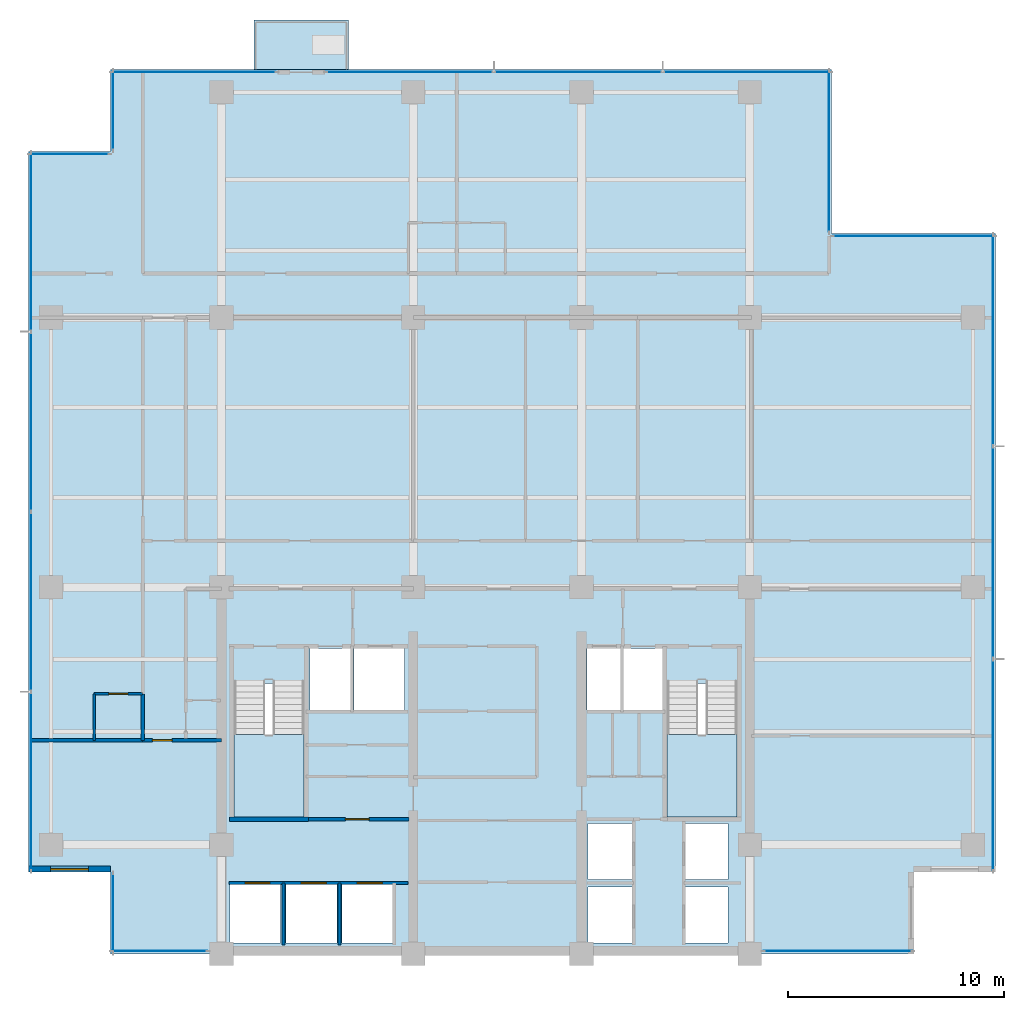
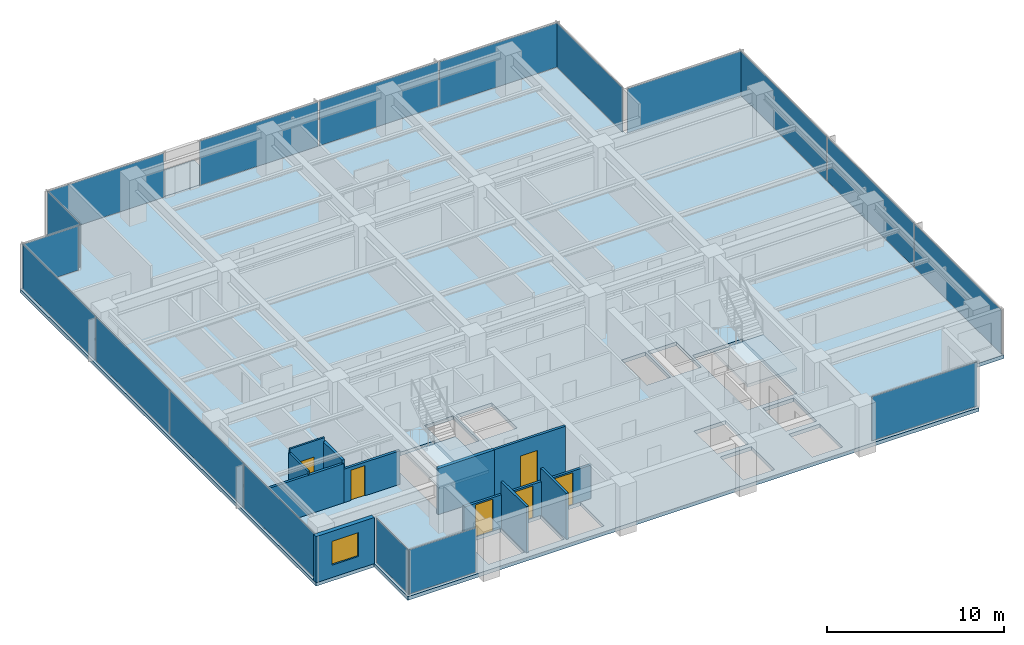
# One storey, part 6 of 14: 18 plates, 11 walls, 6 doors, 4 slabs, 1 window, 7 openings, 13 elements without a shape of their own.
"""IFC4 building model written with IfcOpenShell, lengths in metres."""

from ifc_helpers import new_model, si_unit, direction, frame, frame_2d, origin, origin_2d, place, context, subcontext, project, spatial, polyline, rectangle, outline, extrude, material, layer, layer_set, type_object, element, fill, aggregate, save


model = new_model("IFC4")

# Units and contexts
model_context = context("Model", 3, precision=1e-05, world=origin(), true_north=direction((0.0, 1.0)))
body_context = subcontext(model_context, "Body", "Model", "MODEL_VIEW")
ifc_project = project(units=[si_unit("LENGTHUNIT", "METRE"), si_unit("AREAUNIT", "SQUARE_METRE"), si_unit("VOLUMEUNIT", "CUBIC_METRE"), si_unit("PLANEANGLEUNIT", "RADIAN"), si_unit("MASSUNIT", "GRAM", prefix="KILO")], contexts=[model_context])

# Site, building, storey
site_placement = place(None, origin())
site = spatial("IfcSite", under=ifc_project, at=site_placement, CompositionType="ELEMENT")
building_placement = place(site_placement, origin())
building = spatial("IfcBuilding", under=site, at=building_placement, Name="Qalmaran Belvedere Hotel", CompositionType="ELEMENT")
storey_placement = place(building_placement, frame((0.0, 0.0, 180.60009765625)))
storey = spatial("IfcBuildingStorey", under=building, at=storey_placement, Name="L46", CompositionType="ELEMENT", Elevation=180.60009765625)

# Curtain wall, plate
ifc_material_1 = material(Name="Anodised Bronze Aluminium", Category="aluminium")
ifc_layer_1 = layer(ifc_material_1, 0.195068359375, Name="Anodised Bronze Aluminium")
ifc_layer_set_1 = layer_set([ifc_layer_1], Name="Anodised Bronze Aluminium")
curtain_wall_type = type_object("IfcCurtainWallType", Name="CW4-TOWER-HIGHMID", PredefinedType="NOTDEFINED", material=ifc_layer_set_1)
curtain_wall_1_placement = place(storey_placement, origin())
curtain_wall_1 = element("IfcCurtainWall", 1, at=curtain_wall_1_placement, inside=storey, type_object=curtain_wall_type, Name="L46 Curtain Wall CW4", PredefinedType="NOTDEFINED")
ifc_material_2 = material(Name="Solar-Control Double Glazing", Category="glass")
ifc_layer_2 = layer(ifc_material_2, 0.028076171875, Name="Solar-Control Double Glazing")
ifc_layer_set_2 = layer_set([ifc_layer_2], Name="Solar-Control Double Glazing")
plate_type = type_object("IfcPlateType", Name="CWP-VISION-28", PredefinedType="CURTAIN_PANEL", material=ifc_layer_set_2)
plate_1_placement = place(storey_placement, frame((17.429931640625, 3.6201171875, 0.06494140625), z_axis=(0.0, 0.0, 1.0), x_axis=(1.0, 0.0, 0.0)))
plate_1 = element("IfcPlate", 2, at=plate_1_placement, type_object=plate_type, Name="CW4 panel 1.1", PredefinedType="CURTAIN_PANEL", context=body_context, shape_type="SweptSolid", body=[
    extrude(rectangle(XDim=4.419921875, YDim=0.028076171875, at=origin_2d()), origin(), (0.0, 0.0, 1.0), 3.050048828125),
])
aggregate(curtain_wall_1, [plate_1])

curtain_wall_2_placement = place(storey_placement, origin())
curtain_wall_2 = element("IfcCurtainWall", 3, at=curtain_wall_2_placement, inside=storey, type_object=curtain_wall_type, Name="L46 Curtain Wall CW4", PredefinedType="NOTDEFINED")
plate_2_placement = place(storey_placement, frame((48.89501953125, 3.6201171875, 0.06494140625), z_axis=(0.0, 0.0, 1.0), x_axis=(1.0, 0.0, 0.0)))
plate_2 = element("IfcPlate", 4, at=plate_2_placement, type_object=plate_type, Name="CW4 panel 1.1", PredefinedType="CURTAIN_PANEL", context=body_context, shape_type="SweptSolid", body=[
    extrude(rectangle(XDim=6.8701171875, YDim=0.028076171875, at=origin_2d()), origin(), (0.0, 0.0, 1.0), 3.050048828125),
])
aggregate(curtain_wall_2, [plate_2])

# Curtain wall, plates
curtain_wall_3_placement = place(storey_placement, origin())
curtain_wall_3 = element("IfcCurtainWall", 5, at=curtain_wall_3_placement, inside=storey, type_object=curtain_wall_type, Name="L46 Curtain Wall CW4", PredefinedType="NOTDEFINED")
plate_3_placement = place(storey_placement, frame((56.080078125, 12.250732421875, 0.06494140625), z_axis=(0.0, 0.0, 1.0), x_axis=(0.0, 1.0, 0.0)))
plate_3 = element("IfcPlate", 6, at=plate_3_placement, type_object=plate_type, Name="CW4 panel 1.1", PredefinedType="CURTAIN_PANEL", context=body_context, shape_type="SweptSolid", body=[
    extrude(rectangle(XDim=9.76171875, YDim=0.028076171875, at=origin_2d()), origin(), (0.0, 0.0, 1.0), 3.050048828125),
])
plate_4_placement = place(storey_placement, frame((56.080078125, 22.10009765625, 0.06494140625), z_axis=(0.0, 0.0, 1.0), x_axis=(0.0, 1.0, 0.0)))
plate_4 = element("IfcPlate", 7, at=plate_4_placement, type_object=plate_type, Name="CW4 panel 2.1", PredefinedType="CURTAIN_PANEL", context=body_context, shape_type="SweptSolid", body=[
    extrude(rectangle(XDim=9.796630859375, YDim=0.028076171875, at=origin_2d()), origin(), (0.0, 0.0, 1.0), 3.050048828125),
])
plate_5_placement = place(storey_placement, frame((56.080078125, 31.94921875, 0.06494140625), z_axis=(0.0, 0.0, 1.0), x_axis=(0.0, 1.0, 0.0)))
plate_5 = element("IfcPlate", 8, at=plate_5_placement, type_object=plate_type, Name="CW4 panel 3.1", PredefinedType="CURTAIN_PANEL", context=body_context, shape_type="SweptSolid", body=[
    extrude(rectangle(XDim=9.76171875, YDim=0.028076171875, at=origin_2d()), origin(), (0.0, 0.0, 1.0), 3.050048828125),
])
aggregate(curtain_wall_3, [plate_3, plate_4, plate_5])

# Curtain wall, plate
curtain_wall_4_placement = place(storey_placement, origin())
curtain_wall_4 = element("IfcCurtainWall", 9, at=curtain_wall_4_placement, inside=storey, type_object=curtain_wall_type, Name="L46 Curtain Wall CW4", PredefinedType="NOTDEFINED")
plate_6_placement = place(storey_placement, frame((52.39990234375, 36.780029296875, 0.06494140625), z_axis=(0.0, 0.0, 1.0), x_axis=(-1.0, 0.0, 0.0)))
plate_6 = element("IfcPlate", 10, at=plate_6_placement, type_object=plate_type, Name="CW4 panel 1.1", PredefinedType="CURTAIN_PANEL", context=body_context, shape_type="SweptSolid", body=[
    extrude(rectangle(XDim=7.4599609375, YDim=0.028076171875, at=origin_2d()), origin(), (0.0, 0.0, 1.0), 3.050048828125),
])
aggregate(curtain_wall_4, [plate_6])

curtain_wall_5_placement = place(storey_placement, origin())
curtain_wall_5 = element("IfcCurtainWall", 11, at=curtain_wall_5_placement, inside=storey, type_object=curtain_wall_type, Name="L46 Curtain Wall CW4", PredefinedType="NOTDEFINED")
plate_7_placement = place(storey_placement, frame((48.47998046875, 40.699951171875, 0.06494140625), z_axis=(0.0, 0.0, 1.0), x_axis=(0.0, 1.0, 0.0)))
plate_7 = element("IfcPlate", 12, at=plate_7_placement, type_object=plate_type, Name="CW4 panel 1.1", PredefinedType="CURTAIN_PANEL", context=body_context, shape_type="SweptSolid", body=[
    extrude(rectangle(XDim=7.4599609375, YDim=0.028076171875, at=origin_2d()), origin(), (0.0, 0.0, 1.0), 3.050048828125),
])
aggregate(curtain_wall_5, [plate_7])

curtain_wall_6_placement = place(storey_placement, origin())
curtain_wall_6 = element("IfcCurtainWall", 13, at=curtain_wall_6_placement, inside=storey, type_object=curtain_wall_type, Name="L46 Curtain Wall CW4", PredefinedType="NOTDEFINED")
plate_8_placement = place(storey_placement, frame((19.02490234375, 44.3798828125, 0.06494140625), z_axis=(0.0, 0.0, 1.0), x_axis=(-1.0, 0.0, 0.0)))
plate_8 = element("IfcPlate", 14, at=plate_8_placement, type_object=plate_type, Name="CW4 panel 1.1", PredefinedType="CURTAIN_PANEL", context=body_context, shape_type="SweptSolid", body=[
    extrude(rectangle(XDim=7.610107421875, YDim=0.028076171875, at=origin_2d()), origin(), (0.0, 0.0, 1.0), 3.050048828125),
])
aggregate(curtain_wall_6, [plate_8])

# Curtain wall, plates
curtain_wall_7_placement = place(storey_placement, origin())
curtain_wall_7 = element("IfcCurtainWall", 15, at=curtain_wall_7_placement, inside=storey, type_object=curtain_wall_type, Name="L46 Curtain Wall CW4", PredefinedType="NOTDEFINED")
plate_9_placement = place(storey_placement, frame((44.665771484375, 44.3798828125, 0.06494140625), z_axis=(0.0, 0.0, 1.0), x_axis=(-1.0, 0.0, 0.0)))
plate_9 = element("IfcPlate", 16, at=plate_9_placement, type_object=plate_type, Name="CW4 panel 1.1", PredefinedType="CURTAIN_PANEL", context=body_context, shape_type="SweptSolid", body=[
    extrude(rectangle(XDim=7.728271484375, YDim=0.028076171875, at=origin_2d()), origin(), (0.0, 0.0, 1.0), 3.050048828125),
])
plate_10_placement = place(storey_placement, frame((36.85009765625, 44.3798828125, 0.06494140625), z_axis=(0.0, 0.0, 1.0), x_axis=(-1.0, 0.0, 0.0)))
plate_10 = element("IfcPlate", 17, at=plate_10_placement, type_object=plate_type, Name="CW4 panel 2.1", PredefinedType="CURTAIN_PANEL", context=body_context, shape_type="SweptSolid", body=[
    extrude(rectangle(XDim=7.763427734375, YDim=0.028076171875, at=origin_2d()), origin(), (0.0, 0.0, 1.0), 3.050048828125),
])
plate_11_placement = place(storey_placement, frame((29.0341796875, 44.3798828125, 0.06494140625), z_axis=(0.0, 0.0, 1.0), x_axis=(-1.0, 0.0, 0.0)))
plate_11 = element("IfcPlate", 18, at=plate_11_placement, type_object=plate_type, Name="CW4 panel 3.1", PredefinedType="CURTAIN_PANEL", context=body_context, shape_type="SweptSolid", body=[
    extrude(rectangle(XDim=7.728271484375, YDim=0.028076171875, at=origin_2d()), origin(), (0.0, 0.0, 1.0), 3.050048828125),
])
aggregate(curtain_wall_7, [plate_9, plate_10, plate_11])

# Curtain wall, plate
curtain_wall_8_placement = place(storey_placement, origin())
curtain_wall_8 = element("IfcCurtainWall", 19, at=curtain_wall_8_placement, inside=storey, type_object=curtain_wall_type, Name="L46 Curtain Wall CW4", PredefinedType="NOTDEFINED")
plate_12_placement = place(storey_placement, frame((15.27001953125, 42.60009765625, 0.06494140625), z_axis=(0.0, 0.0, 1.0), x_axis=(0.0, -1.0, 0.0)))
plate_12 = element("IfcPlate", 20, at=plate_12_placement, type_object=plate_type, Name="CW4 panel 1.1", PredefinedType="CURTAIN_PANEL", context=body_context, shape_type="SweptSolid", body=[
    extrude(rectangle(XDim=3.659912109375, YDim=0.028076171875, at=origin_2d()), origin(), (0.0, 0.0, 1.0), 3.050048828125),
])
aggregate(curtain_wall_8, [plate_12])

curtain_wall_9_placement = place(storey_placement, origin())
curtain_wall_9 = element("IfcCurtainWall", 21, at=curtain_wall_9_placement, inside=storey, type_object=curtain_wall_type, Name="L46 Curtain Wall CW4", PredefinedType="NOTDEFINED")
plate_13_placement = place(storey_placement, frame((13.25, 40.580078125, 0.06494140625), z_axis=(0.0, 0.0, 1.0), x_axis=(-1.0, 0.0, 0.0)))
plate_13 = element("IfcPlate", 22, at=plate_13_placement, type_object=plate_type, Name="CW4 panel 1.1", PredefinedType="CURTAIN_PANEL", context=body_context, shape_type="SweptSolid", body=[
    extrude(rectangle(XDim=3.659912109375, YDim=0.028076171875, at=origin_2d()), origin(), (0.0, 0.0, 1.0), 3.050048828125),
])
aggregate(curtain_wall_9, [plate_13])

# Curtain wall, plates
curtain_wall_10_placement = place(storey_placement, origin())
curtain_wall_10 = element("IfcCurtainWall", 23, at=curtain_wall_10_placement, inside=storey, type_object=curtain_wall_type, Name="L46 Curtain Wall CW4", PredefinedType="NOTDEFINED")
plate_14_placement = place(storey_placement, frame((11.469970703125, 36.507568359375, 0.06494140625), z_axis=(0.0, 0.0, 1.0), x_axis=(0.0, -1.0, 0.0)))
plate_14 = element("IfcPlate", 24, at=plate_14_placement, type_object=plate_type, Name="CW4 panel 1.1", PredefinedType="CURTAIN_PANEL", context=body_context, shape_type="SweptSolid", body=[
    extrude(rectangle(XDim=8.2451171875, YDim=0.028076171875, at=origin_2d()), origin(), (0.0, 0.0, 1.0), 3.050048828125),
])
plate_15_placement = place(storey_placement, frame((11.469970703125, 28.175048828125, 0.06494140625), z_axis=(0.0, 0.0, 1.0), x_axis=(0.0, -1.0, 0.0)))
plate_15 = element("IfcPlate", 25, at=plate_15_placement, type_object=plate_type, Name="CW4 panel 2.1", PredefinedType="CURTAIN_PANEL", context=body_context, shape_type="SweptSolid", body=[
    extrude(rectangle(XDim=8.280029296875, YDim=0.028076171875, at=origin_2d()), origin(), (0.0, 0.0, 1.0), 3.050048828125),
])
plate_16_placement = place(storey_placement, frame((11.469970703125, 19.824951171875, 0.06494140625), z_axis=(0.0, 0.0, 1.0), x_axis=(0.0, -1.0, 0.0)))
plate_16 = element("IfcPlate", 26, at=plate_16_placement, type_object=plate_type, Name="CW4 panel 3.1", PredefinedType="CURTAIN_PANEL", context=body_context, shape_type="SweptSolid", body=[
    extrude(rectangle(XDim=8.280029296875, YDim=0.028076171875, at=origin_2d()), origin(), (0.0, 0.0, 1.0), 3.050048828125),
])
plate_17_placement = place(storey_placement, frame((11.469970703125, 11.492431640625, 0.06494140625), z_axis=(0.0, 0.0, 1.0), x_axis=(0.0, -1.0, 0.0)))
plate_17 = element("IfcPlate", 27, at=plate_17_placement, type_object=plate_type, Name="CW4 panel 4.1", PredefinedType="CURTAIN_PANEL", context=body_context, shape_type="SweptSolid", body=[
    extrude(rectangle(XDim=8.2451171875, YDim=0.028076171875, at=origin_2d()), origin(), (0.0, 0.0, 1.0), 3.050048828125),
])
aggregate(curtain_wall_10, [plate_14, plate_15, plate_16, plate_17])

# Curtain wall, plate
curtain_wall_11_placement = place(storey_placement, origin())
curtain_wall_11 = element("IfcCurtainWall", 28, at=curtain_wall_11_placement, inside=storey, type_object=curtain_wall_type, Name="L46 Curtain Wall CW4", PredefinedType="NOTDEFINED")
plate_18_placement = place(storey_placement, frame((15.27001953125, 5.39990234375, 0.06494140625), z_axis=(0.0, 0.0, 1.0), x_axis=(0.0, -1.0, 0.0)))
plate_18 = element("IfcPlate", 29, at=plate_18_placement, type_object=plate_type, Name="CW4 panel 1.1", PredefinedType="CURTAIN_PANEL", context=body_context, shape_type="SweptSolid", body=[
    extrude(rectangle(XDim=3.659912109375, YDim=0.028076171875, at=origin_2d()), origin(), (0.0, 0.0, 1.0), 3.050048828125),
])
aggregate(curtain_wall_11, [plate_18])

# Slab
ifc_material_3 = material(Name="Concrete C40/50", Category="concrete")
ifc_layer_3 = layer(ifc_material_3, 0.219970703125, Name="Concrete C40/50")
ifc_layer_set_3 = layer_set([ifc_layer_3], Name="Concrete C40/50")
slab_type_1 = type_object("IfcSlabType", Name="SLB-BAL-220", PredefinedType="USERDEFINED", material=ifc_layer_set_3)
slab_1_placement = place(storey_placement, frame((0.0, 0.0, -0.22021484375)))
element("IfcSlab", 30, at=slab_1_placement, inside=storey, type_object=slab_type_1, Name="L46 Planted Tree Balcony Slab 1", ObjectType="BALCONY", PredefinedType="USERDEFINED", context=body_context, shape_type="SweptSolid", body=[
    extrude(outline(polyline([(21.800048828125, 44.5), (26.199951171875, 44.5), (26.199951171875, 46.800048828125), (21.800048828125, 46.800048828125), (21.800048828125, 44.5)])), origin(), (0.0, 0.0, 1.0), 0.22021484375),
])

# Stair, slab
stair_type_1 = type_object("IfcStairType", Name="STR-ST-1-1450-R1750", PredefinedType="HALF_TURN_STAIR", material=ifc_material_3)
stair_1_placement = place(storey_placement, origin())
stair_1 = element("IfcStair", 31, at=stair_1_placement, inside=storey, type_object=stair_type_1, Name="L46 West Core Exit Stair ST-1", PredefinedType="HALF_TURN_STAIR")
ifc_layer_4 = layer(ifc_material_3, 0.199951171875, Name="Concrete C40/50")
ifc_layer_set_4 = layer_set([ifc_layer_4], Name="Concrete C40/50")
slab_type_2 = type_object("IfcSlabType", Name="SLB-STAIR-LANDING-200", PredefinedType="LANDING", material=ifc_layer_set_4)
slab_2_placement = place(storey_placement, frame((0.0, 0.0, 1.5498046875)))
slab_2 = element("IfcSlab", 32, at=slab_2_placement, type_object=slab_type_2, Name="ST-1 landing 1", PredefinedType="LANDING", context=body_context, shape_type="SweptSolid", body=[
    extrude(outline(polyline([(20.8798828125, 13.669921875), (20.8798828125, 9.85009765625), (24.1201171875, 9.85009765625), (24.1201171875, 13.669921875), (20.8798828125, 13.669921875)])), origin(), (0.0, 0.0, 1.0), 0.2001953125),
])
aggregate(stair_1, [slab_2])

stair_type_2 = type_object("IfcStairType", Name="STR-ST-2-1450-R1750", PredefinedType="HALF_TURN_STAIR", material=ifc_material_3)
stair_2_placement = place(storey_placement, origin())
stair_2 = element("IfcStair", 33, at=stair_2_placement, inside=storey, type_object=stair_type_2, Name="L46 East Core Exit Stair ST-2", PredefinedType="HALF_TURN_STAIR")
slab_3_placement = place(storey_placement, frame((0.0, 0.0, 1.5498046875)))
slab_3 = element("IfcSlab", 34, at=slab_3_placement, type_object=slab_type_2, Name="ST-2 landing 1", PredefinedType="LANDING", context=body_context, shape_type="SweptSolid", body=[
    extrude(outline(polyline([(40.9599609375, 13.669921875), (40.9599609375, 9.85009765625), (44.199951171875, 9.85009765625), (44.199951171875, 13.669921875), (40.9599609375, 13.669921875)])), origin(), (0.0, 0.0, 1.0), 0.2001953125),
])
aggregate(stair_2, [slab_3])

# Slab
ifc_layer_5 = layer(ifc_material_3, 0.25, Name="Concrete C40/50")
ifc_layer_set_5 = layer_set([ifc_layer_5], Name="Concrete C40/50")
slab_type_3 = type_object("IfcSlabType", Name="SLB-Z3-250", PredefinedType="FLOOR", material=ifc_layer_set_5)
slab_4_placement = place(storey_placement, frame((0.0, 0.0, -0.25)))
element("IfcSlab", 35, at=slab_4_placement, inside=storey, type_object=slab_type_3, Name="L46 Structural Floor Slab", PredefinedType="FLOOR", context=body_context, shape_type="SweptSolid", body=[
    extrude(outline(polyline([(15.14990234375, 3.5), (52.39990234375, 3.5), (52.39990234375, 7.300048828125), (56.199951171875, 7.300048828125), (56.199951171875, 36.89990234375), (48.60009765625, 36.89990234375), (48.60009765625, 44.5), (15.14990234375, 44.5), (15.14990234375, 40.699951171875), (11.35009765625, 40.699951171875), (11.35009765625, 7.300048828125), (15.14990234375, 7.300048828125), (15.14990234375, 3.5)]), holes=[polyline([(20.8798828125, 9.85009765625), (24.1201171875, 9.85009765625), (24.1201171875, 16.0400390625), (20.8798828125, 16.0400390625), (20.8798828125, 9.85009765625)]), polyline([(40.9599609375, 9.85009765625), (44.199951171875, 9.85009765625), (44.199951171875, 16.0400390625), (40.9599609375, 16.0400390625), (40.9599609375, 9.85009765625)]), polyline([(37.300048828125, 4.0), (39.35009765625, 4.0), (39.35009765625, 6.60009765625), (37.300048828125, 6.60009765625), (37.300048828125, 4.0)]), polyline([(37.300048828125, 6.949951171875), (39.35009765625, 6.949951171875), (39.35009765625, 9.550048828125), (37.300048828125, 9.550048828125), (37.300048828125, 6.949951171875)]), polyline([(41.800048828125, 4.0), (43.800048828125, 4.0), (43.800048828125, 6.60009765625), (41.800048828125, 6.60009765625), (41.800048828125, 4.0)]), polyline([(41.800048828125, 6.949951171875), (43.800048828125, 6.949951171875), (43.800048828125, 9.550048828125), (41.800048828125, 9.550048828125), (41.800048828125, 6.949951171875)]), polyline([(20.699951171875, 4.0), (23.050048828125, 4.0), (23.050048828125, 6.699951171875), (20.699951171875, 6.699951171875), (20.699951171875, 4.0)]), polyline([(23.300048828125, 4.0), (25.64990234375, 4.0), (25.64990234375, 6.699951171875), (23.300048828125, 6.699951171875), (23.300048828125, 4.0)]), polyline([(25.89990234375, 4.0), (28.25, 4.0), (28.25, 6.699951171875), (25.89990234375, 6.699951171875), (25.89990234375, 4.0)]), polyline([(24.39990234375, 14.800048828125), (26.300048828125, 14.800048828125), (26.300048828125, 17.64990234375), (24.39990234375, 17.64990234375), (24.39990234375, 14.800048828125)]), polyline([(38.949951171875, 14.800048828125), (40.820068359375, 14.800048828125), (40.820068359375, 17.64990234375), (38.949951171875, 17.64990234375), (38.949951171875, 14.800048828125)]), polyline([(26.449951171875, 14.800048828125), (28.800048828125, 14.800048828125), (28.800048828125, 17.64990234375), (26.449951171875, 17.64990234375), (26.449951171875, 14.800048828125)]), polyline([(37.25, 14.800048828125), (38.800048828125, 14.800048828125), (38.800048828125, 17.64990234375), (37.25, 17.64990234375), (37.25, 14.800048828125)])]), origin(), (0.0, 0.0, 1.0), 0.25),
])

# Wall, opening, window
ifc_material_4 = material(Name="Anodised Bronze Cladding")
ifc_layer_6 = layer(ifc_material_4, 0.280029296875, Name="Anodised Bronze Cladding")
ifc_layer_set_6 = layer_set([ifc_layer_6], Name="Anodised Bronze Cladding")
wall_type_1 = type_object("IfcWallType", Name="WL-EXT-BRNZ-280", PredefinedType="SOLIDWALL", material=ifc_layer_set_6)
wall_1_placement = place(storey_placement, frame((11.35009765625, 7.419921875, 0.0), z_axis=(0.0, 0.0, 1.0), x_axis=(1.0, 0.0, 0.0)))
wall_1 = element("IfcWall", 36, at=wall_1_placement, inside=storey, type_object=wall_type_1, Name="L46 Corner Notch Wall 10", PredefinedType="SOLIDWALL", context=body_context, shape_type="SweptSolid", body=[
    extrude(rectangle(XDim=3.7998046875, YDim=0.280029296875, at=frame_2d((1.89990234375, 0.0))), origin(), (0.0, 0.0, 1.0), 3.179931640625),
])
opening_1_placement = place(wall_1_placement, frame((1.02490234375, 0.0, 0.85009765625)))
opening_1 = element("IfcOpeningElement", 37, at=opening_1_placement, cuts=wall_1, Name="Opening W-N17", PredefinedType="OPENING", context=body_context, shape_type="SweptSolid", body=[
    extrude(rectangle(XDim=1.75, YDim=1.64990234375, at=frame_2d((0.875, 0.824951171875))), frame((0.0, 0.14990234375, 0.0), z_axis=(0.0, -1.0, 0.0), x_axis=(1.0, 0.0, 0.0)), (0.0, 0.0, 1.0), 0.300048828125),
])
window_type = type_object("IfcWindowType", Name="WN-NTC-1750X1650", PartitioningType="SINGLE_PANEL", PredefinedType="WINDOW", material=ifc_material_2)
window_placement = place(opening_1_placement, origin())
window = element("IfcWindow", 38, at=window_placement, inside=storey, type_object=window_type, Name="L46 Corner Notch Window 10", OverallHeight=1.64990234375, OverallWidth=1.75, PartitioningType="SINGLE_PANEL", PredefinedType="WINDOW", context=body_context, shape_type="SweptSolid", body=[
    extrude(rectangle(XDim=1.75, YDim=1.64990234375, at=frame_2d((0.875, 0.824951171875))), frame((0.0, 0.030029296875, 0.0), z_axis=(0.0, -1.0, 0.0), x_axis=(1.0, 0.0, 0.0)), (0.0, 0.0, 1.0), 0.06005859375),
])
fill(opening_1, window)

# Wall, opening, door
ifc_material_5 = material(Name="Moisture-Resistant Gypsum")
ifc_layer_7 = layer(ifc_material_5, 0.1201171875, Name="Moisture-Resistant Gypsum")
ifc_layer_set_7 = layer_set([ifc_layer_7], Name="Moisture-Resistant Gypsum")
wall_type_2 = type_object("IfcWallType", Name="WL-INT-120-BATH", PredefinedType="PARTITIONING", material=ifc_layer_set_7)
wall_2_placement = place(storey_placement, frame((14.39990234375, 15.550048828125, 0.0), z_axis=(0.0, 0.0, 1.0), x_axis=(1.0, 0.0, 0.0)))
wall_2 = element("IfcWall", 39, at=wall_2_placement, inside=storey, type_object=wall_type_2, Name="L46 Partition WL-L46-WBN00", PredefinedType="PARTITIONING", context=body_context, shape_type="SweptSolid", body=[
    extrude(rectangle(XDim=2.25, YDim=0.1201171875, at=frame_2d((1.125, 0.0))), origin(), (0.0, 0.0, 1.0), 3.179931640625),
])
opening_2_placement = place(wall_2_placement, frame((1.56494140625, 0.0, 0.0), z_axis=(0.0, 0.0, 1.0), x_axis=(-1.0, 0.0, 0.0)))
opening_2 = element("IfcOpeningElement", 40, at=opening_2_placement, cuts=wall_2, Name="Opening D-BATH", PredefinedType="OPENING", context=body_context, shape_type="SweptSolid", body=[
    extrude(rectangle(XDim=0.8798828125, YDim=2.080078125, at=frame_2d((0.43994140625, 1.0400390625))), frame((0.0, 0.070068359375, 0.0), z_axis=(0.0, -1.0, 0.0), x_axis=(1.0, 0.0, 0.0)), (0.0, 0.0, 1.0), 0.14013671875),
])
ifc_material_6 = material(Name="Engineered Oak Veneer")
door_type_1 = type_object("IfcDoorType", Name="DR-INT-BATH-880X2080", OperationType="NOTDEFINED", PredefinedType="DOOR", material=ifc_material_6)
door_1_placement = place(opening_2_placement, origin())
door_1 = element("IfcDoor", 41, at=door_1_placement, inside=storey, type_object=door_type_1, Name="L46 W Ensuite Door 01", OperationType="SINGLE_SWING_RIGHT", OverallHeight=2.080078125, OverallWidth=0.8798828125, PredefinedType="DOOR", context=body_context, shape_type="SweptSolid", body=[
    extrude(rectangle(XDim=0.8798828125, YDim=2.080078125, at=frame_2d((0.43994140625, 1.0400390625))), frame((0.0, 0.02490234375, 0.0), z_axis=(0.0, -1.0, 0.0), x_axis=(1.0, 0.0, 0.0)), (0.0, 0.0, 1.0), 0.050048828125),
])
fill(opening_2, door_1)

# Walls
wall_3_placement = place(storey_placement, frame((14.39990234375, 13.39990234375, 0.0), z_axis=(0.0, 0.0, 1.0), x_axis=(0.0, 1.0, 0.0)))
element("IfcWall", 42, at=wall_3_placement, inside=storey, type_object=wall_type_2, Name="L46 Partition WL-L46-WBS00", PredefinedType="PARTITIONING", context=body_context, shape_type="SweptSolid", body=[
    extrude(rectangle(XDim=2.150146484375, YDim=0.1201171875, at=frame_2d((1.0751953125, 0.0))), origin(), (0.0, 0.0, 1.0), 2.91796875),
])
ifc_material_7 = material(Name="Gypsum Stud Partition")
ifc_layer_8 = layer(ifc_material_7, 0.14990234375, Name="Gypsum Stud Partition")
ifc_layer_set_8 = layer_set([ifc_layer_8], Name="Gypsum Stud Partition")
wall_type_3 = type_object("IfcWallType", Name="WL-INT-150-EI120", PredefinedType="PARTITIONING", material=ifc_layer_set_8)
for number, where, z_axis, x_axis, name in (
    (43, (23.179931640625, 3.89990234375, 0.0), (0.0, 0.0, 1.0), (0.0, 1.0, 0.0), "L46 Partition WL-POM1-L46"),
    (44, (25.780029296875, 3.89990234375, 0.0), (0.0, 0.0, 1.0), (0.0, 1.0, 0.0), "L46 Partition WL-POM2-L46"),
):
    element("IfcWall", number, at=place(storey_placement, frame(where, z_axis=z_axis, x_axis=x_axis)), inside=storey, type_object=wall_type_3, Name=name, PredefinedType="PARTITIONING", context=body_context, shape_type="SweptSolid", body=[
        extrude(rectangle(XDim=2.880126953125, YDim=0.14990234375, at=frame_2d((1.43994140625, 0.0))), origin(), (0.0, 0.0, 1.0), 3.179931640625),
    ])

# Wall, openings, doors
ifc_layer_9 = layer(ifc_material_7, 0.159912109375, Name="Gypsum Stud Partition")
ifc_layer_set_9 = layer_set([ifc_layer_9], Name="Gypsum Stud Partition")
wall_type_4 = type_object("IfcWallType", Name="WL-INT-160-EI120", PredefinedType="PARTITIONING", material=ifc_layer_set_9)
wall_4_placement = place(storey_placement, frame((20.64990234375, 6.780029296875, 0.0), z_axis=(0.0, 0.0, 1.0), x_axis=(1.0, 0.0, 0.0)))
wall_4 = element("IfcWall", 45, at=wall_4_placement, inside=storey, type_object=wall_type_4, Name="L46 Partition WL-POS-L46", PredefinedType="PARTITIONING", context=body_context, shape_type="SweptSolid", body=[
    extrude(rectangle(XDim=8.300048828125, YDim=0.159912109375, at=frame_2d((4.14990234375, 0.0))), origin(), (0.0, 0.0, 1.0), 2.309814453125),
])
opening_3_placement = place(wall_4_placement, frame((0.75, 0.0, 0.0)))
opening_3 = element("IfcOpeningElement", 46, at=opening_3_placement, cuts=wall_4, Name="Opening LD-PO", PredefinedType="OPENING", context=body_context, shape_type="SweptSolid", body=[
    extrude(rectangle(XDim=1.14990234375, YDim=2.199951171875, at=frame_2d((0.574951171875, 1.10009765625))), frame((0.0, 0.08984375, 0.0), z_axis=(0.0, -1.0, 0.0), x_axis=(1.0, 0.0, 0.0)), (0.0, 0.0, 1.0), 0.179931640625),
])
opening_4_placement = place(wall_4_placement, frame((3.35009765625, 0.0, 0.0)))
opening_4 = element("IfcOpeningElement", 47, at=opening_4_placement, cuts=wall_4, Name="Opening LD-PO", PredefinedType="OPENING", context=body_context, shape_type="SweptSolid", body=[
    extrude(rectangle(XDim=1.14990234375, YDim=2.199951171875, at=frame_2d((0.574951171875, 1.10009765625))), frame((0.0, 0.08984375, 0.0), z_axis=(0.0, -1.0, 0.0), x_axis=(1.0, 0.0, 0.0)), (0.0, 0.0, 1.0), 0.179931640625),
])
opening_5_placement = place(wall_4_placement, frame((5.949951171875, 0.0, 0.0)))
opening_5 = element("IfcOpeningElement", 48, at=opening_5_placement, cuts=wall_4, Name="Opening LD-PO", PredefinedType="OPENING", context=body_context, shape_type="SweptSolid", body=[
    extrude(rectangle(XDim=1.14990234375, YDim=2.199951171875, at=frame_2d((0.574951171875, 1.10009765625))), frame((0.0, 0.08984375, 0.0), z_axis=(0.0, -1.0, 0.0), x_axis=(1.0, 0.0, 0.0)), (0.0, 0.0, 1.0), 0.179931640625),
])
door_type_2 = type_object("IfcDoorType", Name="DR-LIFT-PO-1150X2200", OperationType="DOUBLE_DOOR_SLIDING", PredefinedType="DOOR", material=ifc_material_1)
door_2_placement = place(opening_3_placement, origin())
door_2 = element("IfcDoor", 49, at=door_2_placement, inside=storey, type_object=door_type_2, Name="L46 PO1 Shuttle Landing Door", OperationType="DOUBLE_DOOR_SLIDING", OverallHeight=2.199951171875, OverallWidth=1.14990234375, PredefinedType="DOOR", context=body_context, shape_type="SweptSolid", body=[
    extrude(rectangle(XDim=1.14990234375, YDim=2.199951171875, at=frame_2d((0.574951171875, 1.10009765625))), frame((0.0, 0.02490234375, 0.0), z_axis=(0.0, -1.0, 0.0), x_axis=(1.0, 0.0, 0.0)), (0.0, 0.0, 1.0), 0.050048828125),
])
fill(opening_3, door_2)
door_3_placement = place(opening_4_placement, origin())
door_3 = element("IfcDoor", 50, at=door_3_placement, inside=storey, type_object=door_type_2, Name="L46 PO2 Shuttle Landing Door", OperationType="DOUBLE_DOOR_SLIDING", OverallHeight=2.199951171875, OverallWidth=1.14990234375, PredefinedType="DOOR", context=body_context, shape_type="SweptSolid", body=[
    extrude(rectangle(XDim=1.14990234375, YDim=2.199951171875, at=frame_2d((0.574951171875, 1.10009765625))), frame((0.0, 0.02490234375, 0.0), z_axis=(0.0, -1.0, 0.0), x_axis=(1.0, 0.0, 0.0)), (0.0, 0.0, 1.0), 0.050048828125),
])
fill(opening_4, door_3)
door_4_placement = place(opening_5_placement, origin())
door_4 = element("IfcDoor", 51, at=door_4_placement, inside=storey, type_object=door_type_2, Name="L46 PO3 Shuttle Landing Door", OperationType="DOUBLE_DOOR_SLIDING", OverallHeight=2.199951171875, OverallWidth=1.14990234375, PredefinedType="DOOR", context=body_context, shape_type="SweptSolid", body=[
    extrude(rectangle(XDim=1.14990234375, YDim=2.199951171875, at=frame_2d((0.574951171875, 1.10009765625))), frame((0.0, 0.02490234375, 0.0), z_axis=(0.0, -1.0, 0.0), x_axis=(1.0, 0.0, 0.0)), (0.0, 0.0, 1.0), 0.050048828125),
])
fill(opening_5, door_4)

# Wall, opening, door
wall_5_placement = place(storey_placement, frame((24.199951171875, 9.739990234375, 0.0), z_axis=(0.0, 0.0, 1.0), x_axis=(1.0, 0.0, 0.0)))
wall_5 = element("IfcWall", 52, at=wall_5_placement, inside=storey, type_object=wall_type_4, Name="L46 Partition WL-PON-L46", PredefinedType="PARTITIONING", context=body_context, shape_type="SweptSolid", body=[
    extrude(rectangle(XDim=4.800048828125, YDim=0.159912109375, at=frame_2d((2.39990234375, 0.0))), origin(), (0.0, 0.0, 1.0), 3.179931640625),
])
opening_6_placement = place(wall_5_placement, frame((1.85009765625, 0.0, 0.0)))
opening_6 = element("IfcOpeningElement", 53, at=opening_6_placement, cuts=wall_5, Name="Opening FD90", PredefinedType="OPENING", context=body_context, shape_type="SweptSolid", body=[
    extrude(rectangle(XDim=1.10009765625, YDim=2.14990234375, at=frame_2d((0.550048828125, 1.074951171875))), frame((0.0, 0.08984375, 0.0), z_axis=(0.0, -1.0, 0.0), x_axis=(1.0, 0.0, 0.0)), (0.0, 0.0, 1.0), 0.179931640625),
])
ifc_material_8 = material(Name="Steel S355JR", Category="steel")
door_type_3 = type_object("IfcDoorType", Name="DR-FD90-1100X2150", OperationType="NOTDEFINED", PredefinedType="DOOR", material=ifc_material_8)
door_5_placement = place(opening_6_placement, origin())
door_5 = element("IfcDoor", 54, at=door_5_placement, inside=storey, type_object=door_type_3, Name="L46 Shuttle Lobby Passage Door", OperationType="SINGLE_SWING_LEFT", OverallHeight=2.14990234375, OverallWidth=1.10009765625, PredefinedType="DOOR", context=body_context, shape_type="SweptSolid", body=[
    extrude(rectangle(XDim=1.10009765625, YDim=2.14990234375, at=frame_2d((0.550048828125, 1.074951171875))), frame((0.0, 0.02490234375, 0.0), z_axis=(0.0, -1.0, 0.0), x_axis=(1.0, 0.0, 0.0)), (0.0, 0.0, 1.0), 0.050048828125),
])
fill(opening_6, door_5)

ifc_layer_10 = layer(ifc_material_7, 0.159912109375, Name="Gypsum Stud Partition")
ifc_layer_set_10 = layer_set([ifc_layer_10], Name="Gypsum Stud Partition")
wall_type_5 = type_object("IfcWallType", Name="WL-INT-160-EI60", PredefinedType="PARTITIONING", material=ifc_layer_set_10)
wall_6_placement = place(storey_placement, frame((16.64990234375, 13.39990234375, 0.0), z_axis=(0.0, 0.0, 1.0), x_axis=(1.0, 0.0, 0.0)))
wall_6 = element("IfcWall", 55, at=wall_6_placement, inside=storey, type_object=wall_type_5, Name="L46 Partition WL-L46-SWRL", PredefinedType="PARTITIONING", context=body_context, shape_type="SweptSolid", body=[
    extrude(rectangle(XDim=3.650146484375, YDim=0.159912109375, at=frame_2d((1.8251953125, 0.0))), origin(), (0.0, 0.0, 1.0), 2.309814453125),
])
opening_7_placement = place(wall_6_placement, frame((1.369873046875, 0.0, 0.0), z_axis=(0.0, 0.0, 1.0), x_axis=(-1.0, 0.0, 0.0)))
opening_7 = element("IfcOpeningElement", 56, at=opening_7_placement, cuts=wall_6, Name="Opening FD60S1", PredefinedType="OPENING", context=body_context, shape_type="SweptSolid", body=[
    extrude(rectangle(XDim=0.919921875, YDim=2.080078125, at=frame_2d((0.4599609375, 1.0400390625))), frame((0.0, 0.08984375, 0.0), z_axis=(0.0, -1.0, 0.0), x_axis=(1.0, 0.0, 0.0)), (0.0, 0.0, 1.0), 0.179931640625),
])
door_type_4 = type_object("IfcDoorType", Name="DR-FD60S-920X2080", OperationType="NOTDEFINED", PredefinedType="DOOR", material=ifc_material_6)
door_6_placement = place(opening_7_placement, origin())
door_6 = element("IfcDoor", 57, at=door_6_placement, inside=storey, type_object=door_type_4, Name="L46 SW Study Door", OperationType="SINGLE_SWING_RIGHT", OverallHeight=2.080078125, OverallWidth=0.919921875, PredefinedType="DOOR", context=body_context, shape_type="SweptSolid", body=[
    extrude(rectangle(XDim=0.919921875, YDim=2.080078125, at=frame_2d((0.4599609375, 1.0400390625))), frame((0.0, 0.02490234375, 0.0), z_axis=(0.0, -1.0, 0.0), x_axis=(1.0, 0.0, 0.0)), (0.0, 0.0, 1.0), 0.050048828125),
])
fill(opening_7, door_6)

# Walls
wall_7_placement = place(storey_placement, frame((11.469970703125, 13.39990234375, 0.0), z_axis=(0.0, 0.0, 1.0), x_axis=(1.0, 0.0, 0.0)))
element("IfcWall", 58, at=wall_7_placement, inside=storey, type_object=wall_type_5, Name="L46 Partition WL-L46-WBOT", PredefinedType="PARTITIONING", context=body_context, shape_type="SweptSolid", body=[
    extrude(rectangle(XDim=5.179931640625, YDim=0.159912109375, at=frame_2d((2.58984375, 0.0))), origin(), (0.0, 0.0, 1.0), 2.701904296875),
])
ifc_layer_11 = layer(ifc_material_7, 0.179931640625, Name="Gypsum Stud Partition")
ifc_layer_set_11 = layer_set([ifc_layer_11], Name="Gypsum Stud Partition")
wall_type_6 = type_object("IfcWallType", Name="WL-INT-180-EI60", PredefinedType="PARTITIONING", material=ifc_layer_set_11)
wall_8_placement = place(storey_placement, frame((16.64990234375, 13.39990234375, 0.0), z_axis=(0.0, 0.0, 1.0), x_axis=(0.0, 1.0, 0.0)))
element("IfcWall", 59, at=wall_8_placement, inside=storey, type_object=wall_type_6, Name="L46 Partition WL-L46-WBC00", PredefinedType="PARTITIONING", context=body_context, shape_type="SweptSolid", body=[
    extrude(rectangle(XDim=2.150146484375, YDim=0.179931640625, at=frame_2d((1.0751953125, 0.0))), origin(), (0.0, 0.0, 1.0), 2.91796875),
])
ifc_material_9 = material(Name="Concrete C50/60", Category="concrete")
ifc_layer_12 = layer(ifc_material_9, 0.2099609375, Name="Concrete C50/60")
ifc_layer_set_12 = layer_set([ifc_layer_12], Name="Concrete C50/60")
wall_type_7 = type_object("IfcWallType", Name="WL-STAIR-210-C50", PredefinedType="SHEAR", material=ifc_layer_set_12)
wall_9_placement = place(storey_placement, frame((20.669921875, 9.7451171875, 0.0), z_axis=(0.0, 0.0, 1.0), x_axis=(1.0, 0.0, 0.0)))
element("IfcWall", 60, at=wall_9_placement, inside=storey, type_object=wall_type_7, Name="L46 Stair ST-1 South Bearing Wall", PredefinedType="SHEAR", context=body_context, shape_type="SweptSolid", body=[
    extrude(rectangle(XDim=3.66015625, YDim=0.2099609375, at=frame_2d((1.830078125, 0.0))), origin(), (0.0, 0.0, 1.0), 3.179931640625),
])

save(model, "model.ifc")
